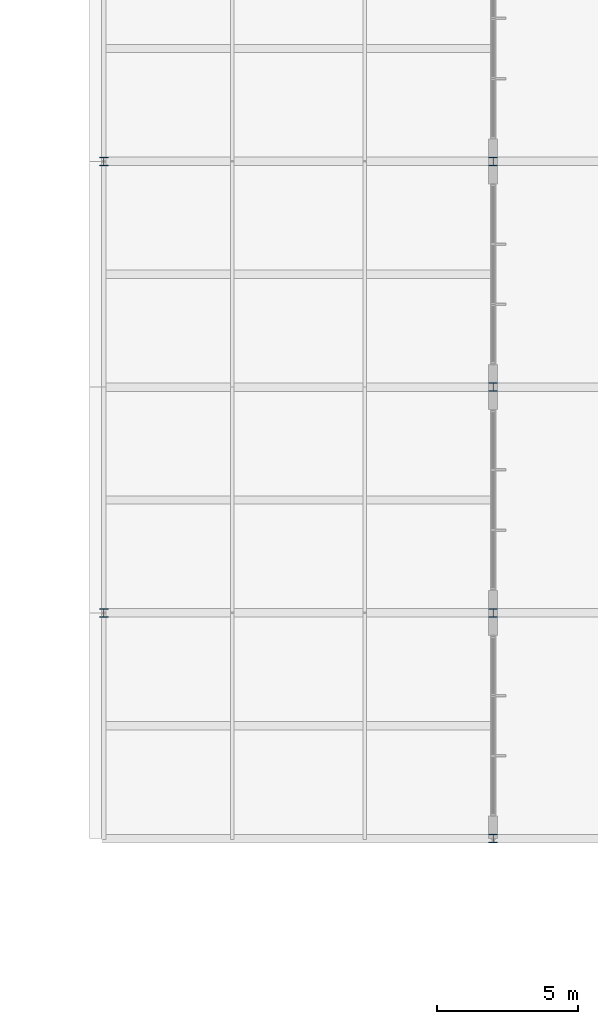
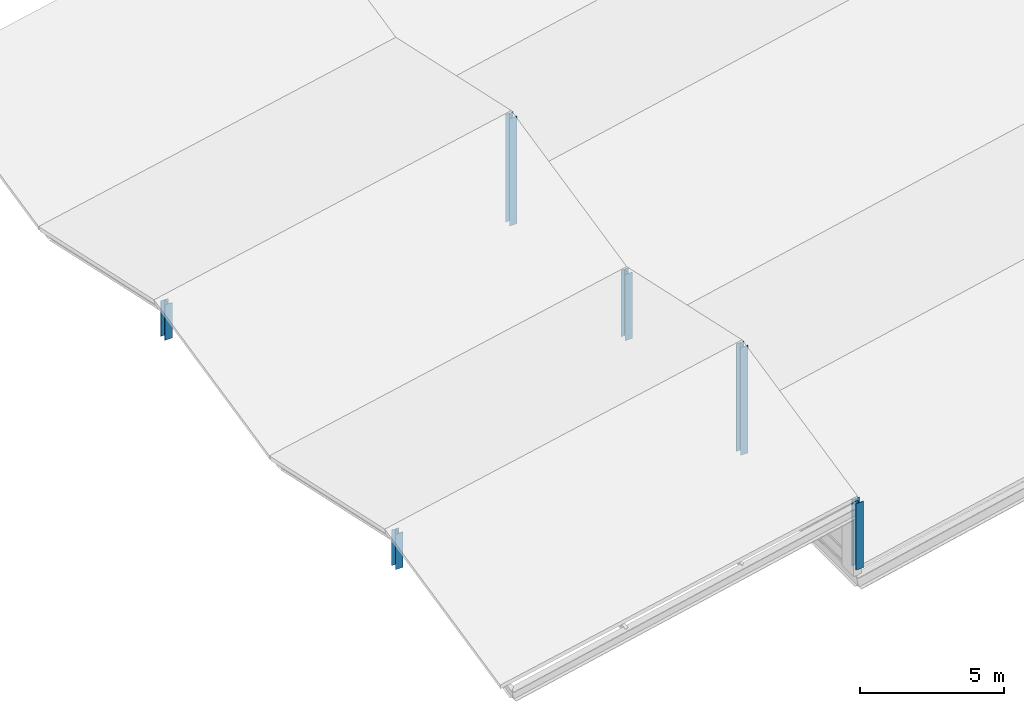
# One storey, part 9 of 109: 6 columns.
"""IFC4 building model written with IfcOpenShell, lengths in metres."""

import ifcopenshell
import ifcopenshell.guid

model = None  # the IFC model being written
_history = None  # IfcOwnerHistory: only IFC2X3 demands one
_inside = {}  # id of a spatial element -> (the spatial element, [elements in it])
_under = {}  # id of a project, library or spatial element -> (it, [spatial elements below it])
_declared = {}  # id of a project -> (the project, [libraries it declares])
_typed = {}  # id of a type object -> (the type object, [elements of that type])
_made_of = {}  # id of a material, layer set ... -> (it, [elements and type objects made of it])


def new_model(schema):
    """Start an empty IFC model of exactly this schema.

    Asked for "IFC4X3", IfcOpenShell would pick the latest addendum, in which some entities
    have other attributes; the version numbers below select the first issue.
    IFC2X3 requires an IfcOwnerHistory on every rooted entity: one is made here for all.
    """
    global model, _history
    if schema == "IFC4X3":
        model = ifcopenshell.file(schema_version=(4, 3, 0, 0))
    else:
        model = ifcopenshell.file(schema=schema)
    _inside.clear()
    _under.clear()
    _declared.clear()
    _typed.clear()
    _made_of.clear()
    _history = None
    if model.schema == "IFC2X3":
        org = make("IfcOrganization", Name="unknown")
        user = make(
            "IfcPersonAndOrganization",
            ThePerson=make("IfcPerson", FamilyName="unknown"),
            TheOrganization=org,
        )
        app = make(
            "IfcApplication",
            ApplicationDeveloper=org,
            Version="unknown",
            ApplicationFullName="unknown",
            ApplicationIdentifier="unknown",
        )
        _history = make(
            "IfcOwnerHistory",
            OwningUser=user,
            OwningApplication=app,
            ChangeAction="ADDED",
            CreationDate=0,
        )
    return model


def make(cls, **values):
    """One entity of the class cls with the attributes given. An attribute that is None is left unset."""
    return model.create_entity(
        cls, **{name: value for name, value in values.items() if value is not None}
    )


def rooted(cls, **values):
    """An entity with a GlobalId (a new one), such as an element, a storey or a relation."""
    return make(cls, GlobalId=ifcopenshell.guid.new(), OwnerHistory=_history, **values)


def si_unit(unit_type, name, prefix=None):
    """IfcSIUnit, for example si_unit("LENGTHUNIT", "METRE", prefix="MILLI")."""
    return make("IfcSIUnit", UnitType=unit_type, Prefix=prefix, Name=name)


def assignment(units):
    """IfcUnitAssignment: the units of a project."""
    return None if units is None else make("IfcUnitAssignment", Units=units)


def point(xyz):
    """IfcCartesianPoint."""
    return None if xyz is None else make("IfcCartesianPoint", Coordinates=xyz)


def direction(xyz):
    """IfcDirection."""
    return None if xyz is None else make("IfcDirection", DirectionRatios=xyz)


def frame(location, z_axis=None, x_axis=None):
    """IfcAxis2Placement3D, a coordinate frame: its origin and axes. An axis left out is left unset."""
    return make(
        "IfcAxis2Placement3D",
        Location=point(location),
        Axis=direction(z_axis),
        RefDirection=direction(x_axis),
    )


def frame_2d(location, x_axis=None):
    """IfcAxis2Placement2D, a coordinate frame in the plane: its origin and x axis."""
    return make(
        "IfcAxis2Placement2D", Location=point(location), RefDirection=direction(x_axis)
    )


def origin():
    """The frame at (0, 0, 0) with its axes left unset."""
    return frame((0.0, 0.0, 0.0))


def origin_2d():
    """The frame at (0, 0) in the plane with its x axis left unset."""
    return frame_2d((0.0, 0.0))


def place(relative_to, where):
    """IfcLocalPlacement: puts the frame where relative to a parent placement (None: the world)."""
    return make(
        "IfcLocalPlacement", PlacementRelTo=relative_to, RelativePlacement=where
    )


def context(
    kind, dimensions, precision=None, world=None, true_north=None, identifier=None
):
    """IfcGeometricRepresentationContext, for example the 3D "Model" context."""
    return make(
        "IfcGeometricRepresentationContext",
        ContextIdentifier=identifier,
        ContextType=kind,
        CoordinateSpaceDimension=dimensions,
        Precision=precision,
        WorldCoordinateSystem=world,
        TrueNorth=true_north,
    )


def subcontext(parent, identifier, kind, view, scale=None):
    """IfcGeometricRepresentationSubContext, for example "Body" below "Model"."""
    return make(
        "IfcGeometricRepresentationSubContext",
        ContextIdentifier=identifier,
        ContextType=kind,
        ParentContext=parent,
        TargetScale=scale,
        TargetView=view,
    )


def project(units=None, contexts=None):
    """IfcProject with its units and contexts."""
    return rooted(
        "IfcProject",
        Name="project",
        RepresentationContexts=contexts,
        UnitsInContext=assignment(units),
    )


def spatial(cls, under=None, at=None, **own):
    """A site, building, storey or space (cls), placed at a placement, below another one or the project."""
    s = rooted(cls, ObjectPlacement=at, **own)
    if under is not None:
        _under.setdefault(under.id(), (under, []))[1].append(s)
    return s


def profile(cls, at=None, kind="AREA", **sizes):
    """A parametric profile (cls). Its sizes go by their IFC names, for example OverallWidth=200.0."""
    return make(cls, ProfileType=kind, Position=at, **sizes)


def i_section(**sizes):
    """IfcIShapeProfileDef."""
    return profile("IfcIShapeProfileDef", **sizes)


def extrude(swept, where, along, depth):
    """IfcExtrudedAreaSolid: the profile swept, set in the frame where, extruded along a direction by depth."""
    return make(
        "IfcExtrudedAreaSolid",
        SweptArea=swept,
        Position=where,
        ExtrudedDirection=direction(along),
        Depth=depth,
    )


def shape(context_of_items, identifier, shape_type, items):
    """IfcShapeRepresentation: the items that make up one representation, for example the "Body"."""
    return make(
        "IfcShapeRepresentation",
        ContextOfItems=context_of_items,
        RepresentationIdentifier=identifier,
        RepresentationType=shape_type,
        Items=items,
    )


def material(Name=None, Category=None):
    """IfcMaterial."""
    return make("IfcMaterial", Name=Name, Category=Category)


def material_profile(
    of_material, cross_section, Name=None, Category=None, Priority=None
):
    """IfcMaterialProfile: a cross section and its material."""
    return make(
        "IfcMaterialProfile",
        Name=Name,
        Material=of_material,
        Profile=cross_section,
        Priority=Priority,
        Category=Category,
    )


def profile_set(profiles, Name=None, composite=None):
    """IfcMaterialProfileSet."""
    return make(
        "IfcMaterialProfileSet",
        Name=Name,
        MaterialProfiles=profiles,
        CompositeProfile=composite,
    )


def made_of(thing, what):
    """Note that an element or type object is made of a material, layer set ...; save() writes the relation."""
    if what is not None:
        _made_of.setdefault(what.id(), (what, []))[1].append(thing)
    return thing


def type_object(cls, material=None, **own):
    """A type object (cls), such as IfcWallType, which elements share."""
    return made_of(rooted(cls, **own), material)


def element(
    cls,
    number,
    at=None,
    inside=None,
    cuts=None,
    type_object=None,
    material=None,
    context=None,
    identifier="Body",
    shape_type=None,
    held_by="IfcProductDefinitionShape",
    body=None,
    shapes=None,
    **own,
):
    """One element of the class cls, such as IfcWall. Its Tag is "e" and its number.

    at: its placement. inside: the storey or other place that contains it. cuts: it is an
    opening in that element (IfcRelVoidsElement). A single representation is given by context,
    identifier, shape_type and body (its items); several are given by shapes. held_by: the class
    of the entity that holds the representations. save() writes the other relations.
    """
    e = rooted(cls, Tag="e%d" % number, ObjectPlacement=at, **own)
    if body is not None:
        shapes = [shape(context, identifier, shape_type, body)]
    if shapes is not None:
        e.Representation = make(held_by, Representations=shapes)
    if inside is not None:
        _inside.setdefault(inside.id(), (inside, []))[1].append(e)
    if cuts is not None:
        rooted(
            "IfcRelVoidsElement", RelatingBuildingElement=cuts, RelatedOpeningElement=e
        )
    if type_object is not None:
        _typed.setdefault(type_object.id(), (type_object, []))[1].append(e)
    return made_of(e, material)


def aggregate(whole, parts):
    """IfcRelAggregates: a whole, such as a stair, and the parts it consists of."""
    return rooted("IfcRelAggregates", RelatingObject=whole, RelatedObjects=parts)


def save(model, path):
    """Write the relations noted so far, then the file.

    IfcRelAggregates (storeys below a building ...), IfcRelContainedInSpatialStructure (elements
    in a storey), IfcRelDefinesByType, IfcRelAssociatesMaterial and IfcRelDeclares: one each for
    every whole, place, type object, material and project.
    """
    for whole, parts in _under.values():
        aggregate(whole, parts)
    for where, things in _inside.values():
        rooted(
            "IfcRelContainedInSpatialStructure",
            RelatedElements=things,
            RelatingStructure=where,
        )
    for kind, things in _typed.values():
        rooted("IfcRelDefinesByType", RelatedObjects=things, RelatingType=kind)
    for what, things in _made_of.values():
        rooted("IfcRelAssociatesMaterial", RelatedObjects=things, RelatingMaterial=what)
    for by, libraries in _declared.values():
        rooted("IfcRelDeclares", RelatingContext=by, RelatedDefinitions=libraries)
    model.write(path)


model = new_model("IFC4")

# Units and contexts
model_context = context("Model", 3, precision=1e-05, world=origin(), true_north=direction((0.0, 1.0)))
body_context = subcontext(model_context, "Body", "Model", "MODEL_VIEW")
ifc_project = project(units=[si_unit("LENGTHUNIT", "METRE"), si_unit("AREAUNIT", "SQUARE_METRE"), si_unit("VOLUMEUNIT", "CUBIC_METRE"), si_unit("PLANEANGLEUNIT", "RADIAN"), si_unit("MASSUNIT", "GRAM", prefix="KILO")], contexts=[model_context])

# Site, building, storey
site_placement = place(None, origin())
site = spatial("IfcSite", under=ifc_project, at=site_placement, CompositionType="ELEMENT")
building_placement = place(site_placement, origin())
building = spatial("IfcBuilding", under=site, at=building_placement, Name="Zavelmont Quarter", CompositionType="ELEMENT")
storey_placement = place(building_placement, frame((0.0, 0.0, 8.0)))
storey = spatial("IfcBuildingStorey", under=building, at=storey_placement, Name="L02", CompositionType="ELEMENT", Elevation=8.0)

# Columns
ifc_material = material(Name="Steel S355", Category="steel")
ifc_material_profile = material_profile(ifc_material, i_section(OverallWidth=0.300048828125, OverallDepth=0.300048828125, WebThickness=0.010986328125, FlangeThickness=0.01904296875, at=origin_2d()), Name="HEB 300")
ifc_profile_set = profile_set([ifc_material_profile], Name="Steel S355")
column_type = type_object("IfcColumnType", Name="CL10", PredefinedType="COLUMN", material=ifc_profile_set)
for number, where, z_axis, x_axis, name in (
    (1, (133.5, 46.0, 0.0), (0.0, 0.0, 1.0), (1.0, 0.0, 0.0), "L02 column CL10 at 20/H"),
    (2, (133.5, 62.0, 0.0), (0.0, 0.0, 1.0), (1.0, 0.0, 0.0), "L02 column CL10 at 20/K"),
):
    element("IfcColumn", number, at=place(storey_placement, frame(where, z_axis=z_axis, x_axis=x_axis)), inside=storey, type_object=column_type, Name=name, PredefinedType="COLUMN", context=body_context, shape_type="SweptSolid", body=[
        extrude(i_section(OverallWidth=0.300048828125, OverallDepth=0.300048828125, WebThickness=0.010986328125, FlangeThickness=0.01904296875, at=origin_2d()), origin(), (0.0, 0.0, 1.0), 1.5),
    ])
column_1_placement = place(storey_placement, frame((147.300048828125, 38.0, 0.0), z_axis=(0.0, 0.0, 1.0), x_axis=(1.0, 0.0, 0.0)))
element("IfcColumn", 3, at=column_1_placement, inside=storey, type_object=column_type, Name="L02 column CL10 at 22/G", PredefinedType="COLUMN", context=body_context, shape_type="SweptSolid", body=[
    extrude(i_section(OverallWidth=0.300048828125, OverallDepth=0.300048828125, WebThickness=0.010986328125, FlangeThickness=0.01904296875, at=origin_2d()), origin(), (0.0, 0.0, 1.0), 2.80908203125),
])
column_2_placement = place(storey_placement, frame((147.300048828125, 46.0, 0.0), z_axis=(0.0, 0.0, 1.0), x_axis=(1.0, 0.0, 0.0)))
element("IfcColumn", 4, at=column_2_placement, inside=storey, type_object=column_type, Name="L02 column CL10 at 22/H", PredefinedType="COLUMN", context=body_context, shape_type="SweptSolid", body=[
    extrude(i_section(OverallWidth=0.300048828125, OverallDepth=0.300048828125, WebThickness=0.010986328125, FlangeThickness=0.01904296875, at=origin_2d()), origin(), (0.0, 0.0, 1.0), 4.55908203125),
])
column_3_placement = place(storey_placement, frame((147.300048828125, 54.0, 0.0), z_axis=(0.0, 0.0, 1.0), x_axis=(1.0, 0.0, 0.0)))
element("IfcColumn", 5, at=column_3_placement, inside=storey, type_object=column_type, Name="L02 column CL10 at 22/J", PredefinedType="COLUMN", context=body_context, shape_type="SweptSolid", body=[
    extrude(i_section(OverallWidth=0.300048828125, OverallDepth=0.300048828125, WebThickness=0.010986328125, FlangeThickness=0.01904296875, at=origin_2d()), origin(), (0.0, 0.0, 1.0), 2.80908203125),
])
column_4_placement = place(storey_placement, frame((147.300048828125, 62.0, 0.0), z_axis=(0.0, 0.0, 1.0), x_axis=(1.0, 0.0, 0.0)))
element("IfcColumn", 6, at=column_4_placement, inside=storey, type_object=column_type, Name="L02 column CL10 at 22/K", PredefinedType="COLUMN", context=body_context, shape_type="SweptSolid", body=[
    extrude(i_section(OverallWidth=0.300048828125, OverallDepth=0.300048828125, WebThickness=0.010986328125, FlangeThickness=0.01904296875, at=origin_2d()), origin(), (0.0, 0.0, 1.0), 4.55908203125),
])

save(model, "model.ifc")
